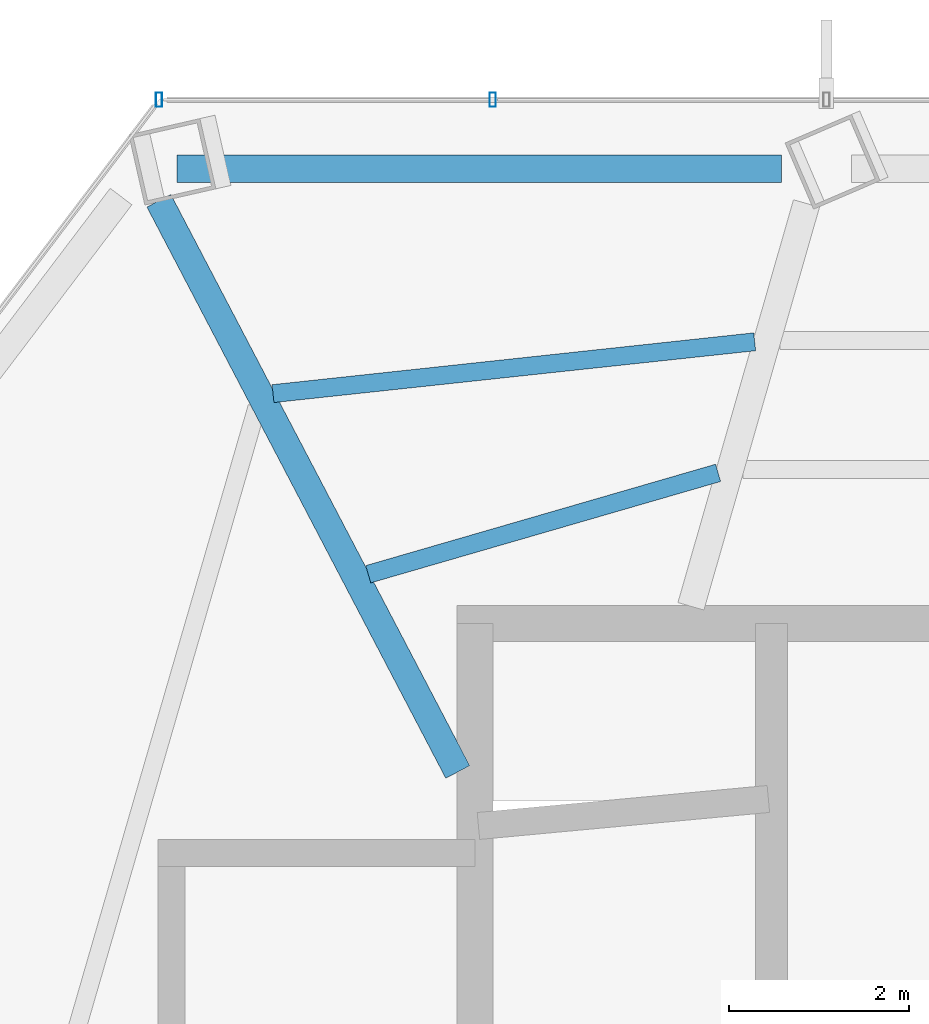
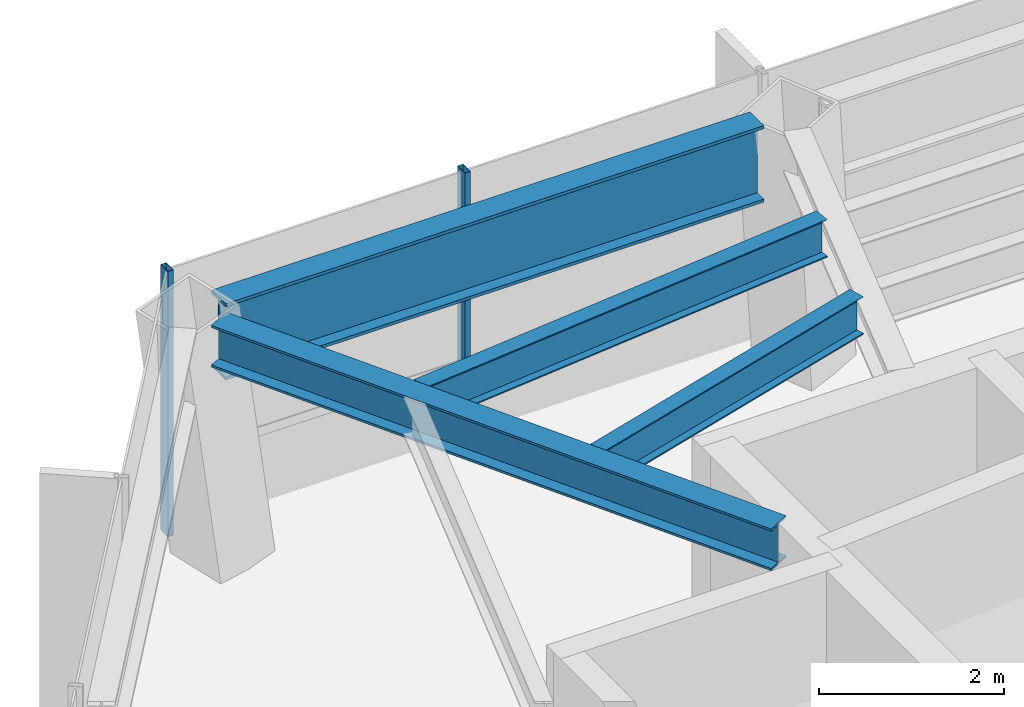
# One storey, part 13 of 30: 4 beams, 2 members, 1 element without a shape of its own.
"""IFC4 building model written with IfcOpenShell, lengths in metres."""

from ifc_helpers import new_model, si_unit, direction, frame, origin, origin_2d, place, context, subcontext, project, spatial, hollow_rectangle, i_section, extrude, material, layer, layer_set, material_profile, profile_set, type_object, element, aggregate, save


model = new_model("IFC4")

# Units and contexts
model_context = context("Model", 3, precision=1e-05, world=origin(), true_north=direction((0.0, 1.0)))
body_context = subcontext(model_context, "Body", "Model", "MODEL_VIEW")
ifc_project = project(units=[si_unit("LENGTHUNIT", "METRE"), si_unit("AREAUNIT", "SQUARE_METRE"), si_unit("VOLUMEUNIT", "CUBIC_METRE"), si_unit("PLANEANGLEUNIT", "RADIAN"), si_unit("MASSUNIT", "GRAM", prefix="KILO")], contexts=[model_context])

# Site, building, storey
site_placement = place(None, origin())
site = spatial("IfcSite", under=ifc_project, at=site_placement, CompositionType="ELEMENT")
building_placement = place(site_placement, origin())
building = spatial("IfcBuilding", under=site, at=building_placement, Name="Zarrinselat Tower", CompositionType="ELEMENT")
storey_placement = place(building_placement, frame((0.0, 0.0, 130.89990234375)))
storey = spatial("IfcBuildingStorey", under=building, at=storey_placement, Name="L31", CompositionType="ELEMENT", Elevation=130.89990234375)

# Beams
ifc_material_1 = material(Name="Steel S355J2", Category="steel")
ifc_material_profile_1 = material_profile(ifc_material_1, i_section(OverallWidth=0.300048828125, OverallDepth=0.550048828125, WebThickness=0.014892578125, FlangeThickness=0.029052734375, at=origin_2d()), Name="HEB 550")
ifc_profile_set_1 = profile_set([ifc_material_profile_1], Name="Steel S355J2")
beam_type_1 = type_object("IfcBeamType", Name="BM-HEB550", PredefinedType="BEAM", material=ifc_profile_set_1)
beam_1_placement = place(storey_placement, frame((25.0908203125, 48.143798828125, 3.22509765625), z_axis=(0.463587732744, -0.88605102226, 0.0), x_axis=(0.88605102226, 0.463587732744, 0.0)))
element("IfcBeam", 1, at=beam_1_placement, inside=storey, type_object=beam_type_1, Name="L31 Radial Primary Girder RG05", PredefinedType="BEAM", context=body_context, shape_type="SweptSolid", body=[
    extrude(i_section(OverallWidth=0.300048828125, OverallDepth=0.550048828125, WebThickness=0.014892578125, FlangeThickness=0.029052734375, at=origin_2d()), origin(), (0.0, 0.0, 1.0), 7.15966796875),
])
ifc_material_2 = material(Name="Steel S460M", Category="steel")
ifc_material_profile_2 = material_profile(ifc_material_2, i_section(OverallWidth=0.302001953125, OverallDepth=1.008056640625, WebThickness=0.02099609375, FlangeThickness=0.0400390625, at=origin_2d()), Name="HEM 1000")
ifc_profile_set_2 = profile_set([ifc_material_profile_2], Name="Steel S460M")
beam_type_2 = type_object("IfcBeamType", Name="BM-HEM1000", PredefinedType="BEAM", material=ifc_profile_set_2)
beam_2_placement = place(storey_placement, frame((25.29248046875, 48.5, 2.99609375), z_axis=(1.0, 0.0, 0.0), x_axis=(0.0, 1.0, 0.0)))
element("IfcBeam", 2, at=beam_2_placement, inside=storey, type_object=beam_type_2, Name="L31 Perimeter Spandrel Girder SP04", PredefinedType="BEAM", context=body_context, shape_type="SweptSolid", body=[
    extrude(i_section(OverallWidth=0.302001953125, OverallDepth=1.008056640625, WebThickness=0.02099609375, FlangeThickness=0.0400390625, at=origin_2d()), origin(), (0.0, 0.0, 1.0), 6.714111328125),
])
ifc_material_3 = material(Name="Steel S355J2", Category="steel")
ifc_material_profile_3 = material_profile(ifc_material_3, i_section(OverallWidth=0.199951171875, OverallDepth=0.5, WebThickness=0.01025390625, FlangeThickness=0.01611328125, at=origin_2d()), Name="IPE 500")
ifc_profile_set_3 = profile_set([ifc_material_profile_3], Name="Steel S355J2")
beam_type_3 = type_object("IfcBeamType", Name="BM-IPE500", PredefinedType="JOIST", material=ifc_profile_set_3)
beam_3_placement = place(storey_placement, frame((26.3583984375, 46.001953125, 3.25), z_axis=(0.994259609148, 0.106994530776, 0.0), x_axis=(-0.106994530776, 0.994259609148, 0.0)))
element("IfcBeam", 3, at=beam_3_placement, inside=storey, type_object=beam_type_3, Name="L31 Composite Floor Joist 9-1", PredefinedType="JOIST", context=body_context, shape_type="SweptSolid", body=[
    extrude(i_section(OverallWidth=0.199951171875, OverallDepth=0.5, WebThickness=0.01025390625, FlangeThickness=0.01611328125, at=origin_2d()), origin(), (0.0, 0.0, 1.0), 5.380615234375),
])
beam_4_placement = place(storey_placement, frame((27.416015625, 43.995849609375, 3.25), z_axis=(0.960476420644, 0.278361357569, 0.0), x_axis=(-0.278361357569, 0.960476420644, 0.0)))
element("IfcBeam", 4, at=beam_4_placement, inside=storey, type_object=beam_type_3, Name="L31 Composite Floor Joist 9-2", PredefinedType="JOIST", context=body_context, shape_type="SweptSolid", body=[
    extrude(i_section(OverallWidth=0.199951171875, OverallDepth=0.5, WebThickness=0.01025390625, FlangeThickness=0.01611328125, at=origin_2d()), origin(), (0.0, 0.0, 1.0), 4.0458984375),
])

# Curtain wall, members
ifc_material_4 = material(Name="Extruded Aluminium Alloy EN AW-6063 T6", Category="aluminium")
ifc_layer = layer(ifc_material_4, 0.175048828125)
ifc_layer_set = layer_set([ifc_layer], Name="Extruded Aluminium Alloy EN AW-6063 T6")
curtain_wall_type = type_object("IfcCurtainWallType", Name="CWS-HTL", PredefinedType="NOTDEFINED", material=ifc_layer_set)
curtain_wall_placement = place(storey_placement, origin())
curtain_wall = element("IfcCurtainWall", 5, at=curtain_wall_placement, inside=storey, type_object=curtain_wall_type, Name="L31 Unitised Curtain Wall CW-L31-E01", PredefinedType="NOTDEFINED")
ifc_material_5 = material(Name="Extruded Aluminium Alloy EN AW-6063 T6", Category="aluminium")
ifc_material_profile_4 = material_profile(ifc_material_5, hollow_rectangle(XDim=0.070068359375, YDim=0.159912109375, WallThickness=0.00390625, at=origin_2d()), Name="RHS 160x70x4")
ifc_profile_set_4 = profile_set([ifc_material_profile_4], Name="Extruded Aluminium Alloy EN AW-6063 T6")
member_type = type_object("IfcMemberType", Name="MEM-CW-MUL2", PredefinedType="MULLION", material=ifc_profile_set_4)
member_1_placement = place(storey_placement, frame((28.799072265625, 49.2666015625, 0.0), z_axis=(0.0, 0.0, 1.0), x_axis=(-1.0, 0.0, 0.0)))
member_1 = element("IfcMember", 6, at=member_1_placement, type_object=member_type, Name="CW-L31-E01 Mullion 8", PredefinedType="MULLION", context=body_context, shape_type="SweptSolid", body=[
    extrude(hollow_rectangle(XDim=0.070068359375, YDim=0.159912109375, WallThickness=0.00390625, at=origin_2d()), origin(), (0.0, 0.0, 1.0), 3.5),
])
member_2_placement = place(storey_placement, frame((25.093505859375, 49.2666015625, 0.0), z_axis=(0.0, 0.0, 1.0), x_axis=(-1.0, 0.0, 0.0)))
member_2 = element("IfcMember", 7, at=member_2_placement, type_object=member_type, Name="CW-L31-E01 Mullion 9", PredefinedType="MULLION", context=body_context, shape_type="SweptSolid", body=[
    extrude(hollow_rectangle(XDim=0.070068359375, YDim=0.159912109375, WallThickness=0.00390625, at=origin_2d()), origin(), (0.0, 0.0, 1.0), 3.5),
])
aggregate(curtain_wall, [member_1, member_2])

save(model, "model.ifc")
